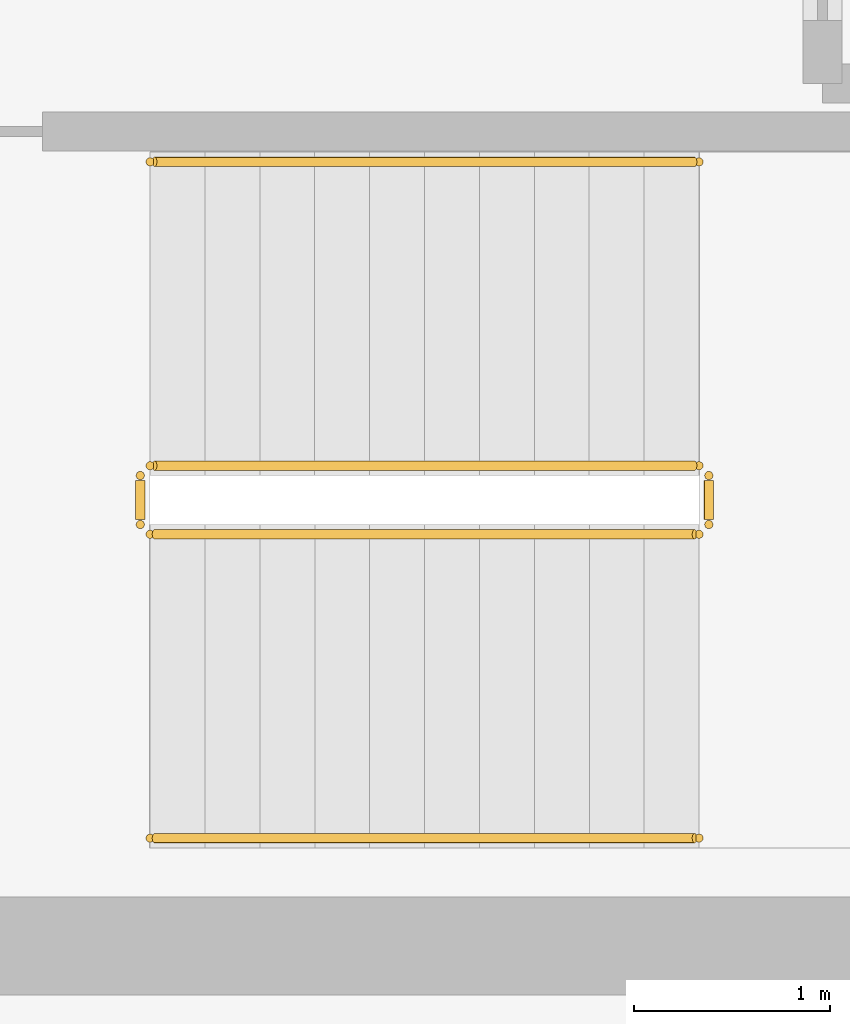
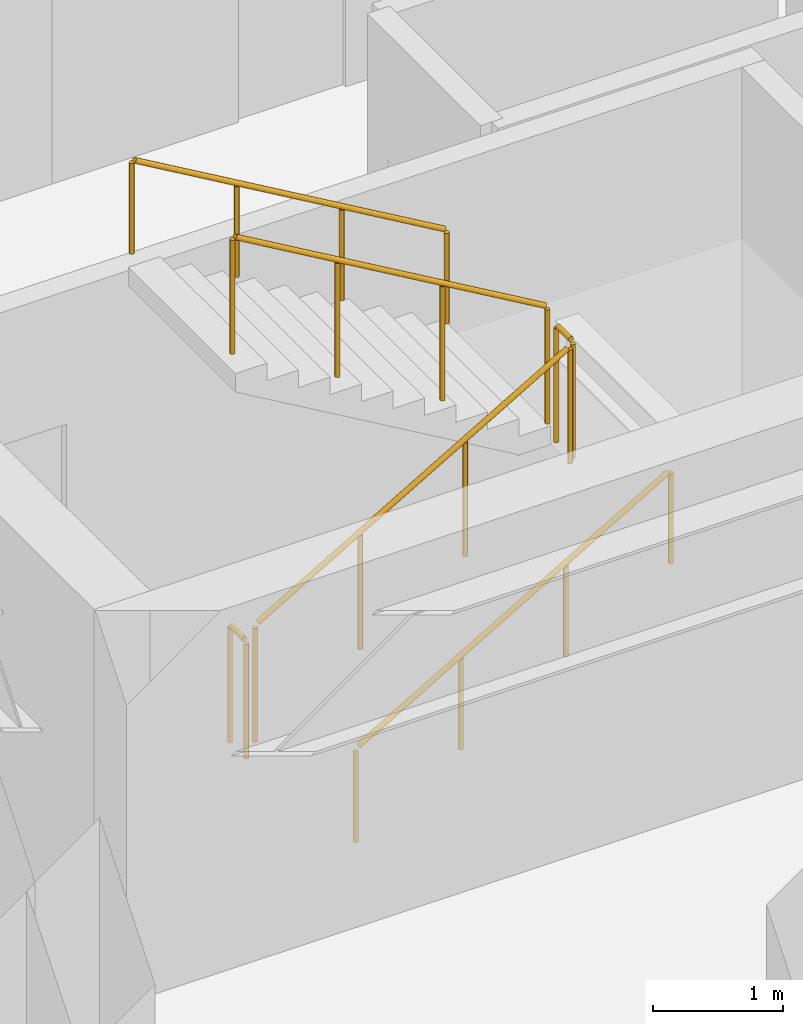
# One storey, part 11 of 11: 6 railings.
"""IFC4 building model written with IfcOpenShell, lengths in metres."""

import ifcopenshell
import ifcopenshell.guid

model = None  # the IFC model being written
_history = None  # IfcOwnerHistory: only IFC2X3 demands one
_inside = {}  # id of a spatial element -> (the spatial element, [elements in it])
_under = {}  # id of a project, library or spatial element -> (it, [spatial elements below it])
_declared = {}  # id of a project -> (the project, [libraries it declares])
_typed = {}  # id of a type object -> (the type object, [elements of that type])
_made_of = {}  # id of a material, layer set ... -> (it, [elements and type objects made of it])


def new_model(schema):
    """Start an empty IFC model of exactly this schema.

    Asked for "IFC4X3", IfcOpenShell would pick the latest addendum, in which some entities
    have other attributes; the version numbers below select the first issue.
    IFC2X3 requires an IfcOwnerHistory on every rooted entity: one is made here for all.
    """
    global model, _history
    if schema == "IFC4X3":
        model = ifcopenshell.file(schema_version=(4, 3, 0, 0))
    else:
        model = ifcopenshell.file(schema=schema)
    _inside.clear()
    _under.clear()
    _declared.clear()
    _typed.clear()
    _made_of.clear()
    _history = None
    if model.schema == "IFC2X3":
        org = make("IfcOrganization", Name="unknown")
        user = make(
            "IfcPersonAndOrganization",
            ThePerson=make("IfcPerson", FamilyName="unknown"),
            TheOrganization=org,
        )
        app = make(
            "IfcApplication",
            ApplicationDeveloper=org,
            Version="unknown",
            ApplicationFullName="unknown",
            ApplicationIdentifier="unknown",
        )
        _history = make(
            "IfcOwnerHistory",
            OwningUser=user,
            OwningApplication=app,
            ChangeAction="ADDED",
            CreationDate=0,
        )
    return model


def make(cls, **values):
    """One entity of the class cls with the attributes given. An attribute that is None is left unset."""
    return model.create_entity(
        cls, **{name: value for name, value in values.items() if value is not None}
    )


def rooted(cls, **values):
    """An entity with a GlobalId (a new one), such as an element, a storey or a relation."""
    return make(cls, GlobalId=ifcopenshell.guid.new(), OwnerHistory=_history, **values)


def si_unit(unit_type, name, prefix=None):
    """IfcSIUnit, for example si_unit("LENGTHUNIT", "METRE", prefix="MILLI")."""
    return make("IfcSIUnit", UnitType=unit_type, Prefix=prefix, Name=name)


def assignment(units):
    """IfcUnitAssignment: the units of a project."""
    return None if units is None else make("IfcUnitAssignment", Units=units)


def point(xyz):
    """IfcCartesianPoint."""
    return None if xyz is None else make("IfcCartesianPoint", Coordinates=xyz)


def direction(xyz):
    """IfcDirection."""
    return None if xyz is None else make("IfcDirection", DirectionRatios=xyz)


def frame(location, z_axis=None, x_axis=None):
    """IfcAxis2Placement3D, a coordinate frame: its origin and axes. An axis left out is left unset."""
    return make(
        "IfcAxis2Placement3D",
        Location=point(location),
        Axis=direction(z_axis),
        RefDirection=direction(x_axis),
    )


def frame_2d(location, x_axis=None):
    """IfcAxis2Placement2D, a coordinate frame in the plane: its origin and x axis."""
    return make(
        "IfcAxis2Placement2D", Location=point(location), RefDirection=direction(x_axis)
    )


def origin():
    """The frame at (0, 0, 0) with its axes left unset."""
    return frame((0.0, 0.0, 0.0))


def origin_2d():
    """The frame at (0, 0) in the plane with its x axis left unset."""
    return frame_2d((0.0, 0.0))


def place(relative_to, where):
    """IfcLocalPlacement: puts the frame where relative to a parent placement (None: the world)."""
    return make(
        "IfcLocalPlacement", PlacementRelTo=relative_to, RelativePlacement=where
    )


def context(
    kind, dimensions, precision=None, world=None, true_north=None, identifier=None
):
    """IfcGeometricRepresentationContext, for example the 3D "Model" context."""
    return make(
        "IfcGeometricRepresentationContext",
        ContextIdentifier=identifier,
        ContextType=kind,
        CoordinateSpaceDimension=dimensions,
        Precision=precision,
        WorldCoordinateSystem=world,
        TrueNorth=true_north,
    )


def subcontext(parent, identifier, kind, view, scale=None):
    """IfcGeometricRepresentationSubContext, for example "Body" below "Model"."""
    return make(
        "IfcGeometricRepresentationSubContext",
        ContextIdentifier=identifier,
        ContextType=kind,
        ParentContext=parent,
        TargetScale=scale,
        TargetView=view,
    )


def project(units=None, contexts=None):
    """IfcProject with its units and contexts."""
    return rooted(
        "IfcProject",
        Name="project",
        RepresentationContexts=contexts,
        UnitsInContext=assignment(units),
    )


def spatial(cls, under=None, at=None, **own):
    """A site, building, storey or space (cls), placed at a placement, below another one or the project."""
    s = rooted(cls, ObjectPlacement=at, **own)
    if under is not None:
        _under.setdefault(under.id(), (under, []))[1].append(s)
    return s


def profile(cls, at=None, kind="AREA", **sizes):
    """A parametric profile (cls). Its sizes go by their IFC names, for example OverallWidth=200.0."""
    return make(cls, ProfileType=kind, Position=at, **sizes)


def circle(**sizes):
    """IfcCircleProfileDef."""
    return profile("IfcCircleProfileDef", **sizes)


def extrude(swept, where, along, depth):
    """IfcExtrudedAreaSolid: the profile swept, set in the frame where, extruded along a direction by depth."""
    return make(
        "IfcExtrudedAreaSolid",
        SweptArea=swept,
        Position=where,
        ExtrudedDirection=direction(along),
        Depth=depth,
    )


def shape(context_of_items, identifier, shape_type, items):
    """IfcShapeRepresentation: the items that make up one representation, for example the "Body"."""
    return make(
        "IfcShapeRepresentation",
        ContextOfItems=context_of_items,
        RepresentationIdentifier=identifier,
        RepresentationType=shape_type,
        Items=items,
    )


def source(mapping_origin, context_of_items, identifier, shape_type, items):
    """IfcRepresentationMap: a shape defined once, which mapped items show again and again."""
    return make(
        "IfcRepresentationMap",
        MappingOrigin=mapping_origin,
        MappedRepresentation=shape(context_of_items, identifier, shape_type, items),
    )


def transform(
    local_origin,
    x_axis=None,
    y_axis=None,
    z_axis=None,
    scale=None,
    scale2=None,
    scale3=None,
    uniform=True,
):
    """IfcCartesianTransformationOperator3D, or its non-uniform kind. x_axis, y_axis, z_axis: its Axis1, 2, 3."""
    if uniform:
        return make(
            "IfcCartesianTransformationOperator3D",
            Axis1=direction(x_axis),
            Axis2=direction(y_axis),
            LocalOrigin=point(local_origin),
            Scale=scale,
            Axis3=direction(z_axis),
        )
    return make(
        "IfcCartesianTransformationOperator3DnonUniform",
        Axis1=direction(x_axis),
        Axis2=direction(y_axis),
        LocalOrigin=point(local_origin),
        Scale=scale,
        Axis3=direction(z_axis),
        Scale2=scale2,
        Scale3=scale3,
    )


def mapped(mapping_source, mapping_target):
    """IfcMappedItem: shows the shape of a source again, moved by a transform."""
    return make(
        "IfcMappedItem", MappingSource=mapping_source, MappingTarget=mapping_target
    )


def material(Name=None, Category=None):
    """IfcMaterial."""
    return make("IfcMaterial", Name=Name, Category=Category)


def layer(
    of_material, thickness, ventilated=None, Name=None, Category=None, Priority=None
):
    """IfcMaterialLayer: one layer of a wall or slab, of a material (None: an air gap)."""
    return make(
        "IfcMaterialLayer",
        Material=of_material,
        LayerThickness=thickness,
        IsVentilated=ventilated,
        Name=Name,
        Category=Category,
        Priority=Priority,
    )


def layer_set(layers, Name=None):
    """IfcMaterialLayerSet."""
    return make("IfcMaterialLayerSet", MaterialLayers=layers, LayerSetName=Name)


def made_of(thing, what):
    """Note that an element or type object is made of a material, layer set ...; save() writes the relation."""
    if what is not None:
        _made_of.setdefault(what.id(), (what, []))[1].append(thing)
    return thing


def type_object(cls, material=None, **own):
    """A type object (cls), such as IfcWallType, which elements share."""
    return made_of(rooted(cls, **own), material)


def element(
    cls,
    number,
    at=None,
    inside=None,
    cuts=None,
    type_object=None,
    material=None,
    context=None,
    identifier="Body",
    shape_type=None,
    held_by="IfcProductDefinitionShape",
    body=None,
    shapes=None,
    **own,
):
    """One element of the class cls, such as IfcWall. Its Tag is "e" and its number.

    at: its placement. inside: the storey or other place that contains it. cuts: it is an
    opening in that element (IfcRelVoidsElement). A single representation is given by context,
    identifier, shape_type and body (its items); several are given by shapes. held_by: the class
    of the entity that holds the representations. save() writes the other relations.
    """
    e = rooted(cls, Tag="e%d" % number, ObjectPlacement=at, **own)
    if body is not None:
        shapes = [shape(context, identifier, shape_type, body)]
    if shapes is not None:
        e.Representation = make(held_by, Representations=shapes)
    if inside is not None:
        _inside.setdefault(inside.id(), (inside, []))[1].append(e)
    if cuts is not None:
        rooted(
            "IfcRelVoidsElement", RelatingBuildingElement=cuts, RelatedOpeningElement=e
        )
    if type_object is not None:
        _typed.setdefault(type_object.id(), (type_object, []))[1].append(e)
    return made_of(e, material)


def aggregate(whole, parts):
    """IfcRelAggregates: a whole, such as a stair, and the parts it consists of."""
    return rooted("IfcRelAggregates", RelatingObject=whole, RelatedObjects=parts)


def save(model, path):
    """Write the relations noted so far, then the file.

    IfcRelAggregates (storeys below a building ...), IfcRelContainedInSpatialStructure (elements
    in a storey), IfcRelDefinesByType, IfcRelAssociatesMaterial and IfcRelDeclares: one each for
    every whole, place, type object, material and project.
    """
    for whole, parts in _under.values():
        aggregate(whole, parts)
    for where, things in _inside.values():
        rooted(
            "IfcRelContainedInSpatialStructure",
            RelatedElements=things,
            RelatingStructure=where,
        )
    for kind, things in _typed.values():
        rooted("IfcRelDefinesByType", RelatedObjects=things, RelatingType=kind)
    for what, things in _made_of.values():
        rooted("IfcRelAssociatesMaterial", RelatedObjects=things, RelatingMaterial=what)
    for by, libraries in _declared.values():
        rooted("IfcRelDeclares", RelatingContext=by, RelatedDefinitions=libraries)
    model.write(path)


model = new_model("IFC4")

# Units and contexts
model_context = context("Model", 3, precision=1e-05, world=origin(), true_north=direction((0.0, 1.0)))
body_context = subcontext(model_context, "Body", "Model", "MODEL_VIEW")
ifc_project = project(units=[si_unit("LENGTHUNIT", "METRE"), si_unit("AREAUNIT", "SQUARE_METRE"), si_unit("VOLUMEUNIT", "CUBIC_METRE"), si_unit("PLANEANGLEUNIT", "RADIAN"), si_unit("MASSUNIT", "GRAM", prefix="KILO")], contexts=[model_context])

# Site, building, storey
site_placement = place(None, origin())
site = spatial("IfcSite", under=ifc_project, at=site_placement, CompositionType="ELEMENT")
building_placement = place(site_placement, origin())
building = spatial("IfcBuilding", under=site, at=building_placement, Name="Kharzan Plaza Tower", CompositionType="ELEMENT")
storey_placement = place(building_placement, frame((0.0, 0.0, 226.800048828125)))
storey = spatial("IfcBuildingStorey", under=building, at=storey_placement, Name="L61", CompositionType="ELEMENT", Elevation=226.800048828125)

# Railings
ifc_material_1 = material(Name="Painted Galvanized Architectural Steel", Category="steel")
ifc_layer_1 = layer(ifc_material_1, 0.074951171875)
ifc_layer_set_1 = layer_set([ifc_layer_1], Name="Painted Galvanized Architectural Steel")
railing_type_1 = type_object("IfcRailingType", Name="RL-GUARD-1120", PredefinedType="BALUSTRADE", material=ifc_layer_set_1)
shared_shape_1 = source(origin(), body_context, "Body", "SweptSolid", [
    extrude(circle(Radius=0.02392578125, at=origin_2d()), frame((0.0, 0.0263671875, 1.09619140625), z_axis=(0.0, 1.0, 0.0), x_axis=(-1.0, 0.0, 0.0)), (0.0, 0.0, 1.0), 0.197021484375),
    extrude(circle(Radius=0.02099609375, at=origin_2d()), origin(), (0.0, 0.0, 1.0), 1.072021484375),
    extrude(circle(Radius=0.02099609375, at=origin_2d()), frame((0.0, 0.25, 0.0)), (0.0, 0.0, 1.0), 1.072021484375),
])
for number, where, name in (
    (1, (41.10009765625, 6.64990234375, 1.800048828125), "L61 ST-3 stair guard 2"),
    (2, (38.199951171875, 6.64990234375, 0.0), "L61 ST-3 stair guard 4"),
):
    element("IfcRailing", number, at=place(storey_placement, frame(where)), inside=storey, type_object=railing_type_1, Name=name, PredefinedType="BALUSTRADE", context=body_context, shape_type="MappedRepresentation", body=[
        mapped(shared_shape_1, transform((0.0, 0.0, 0.0), x_axis=(1.0, 0.0, 0.0), y_axis=(0.0, 1.0, 0.0), z_axis=(0.0, 0.0, 1.0))),
    ])
shared_shape_2 = source(origin(), body_context, "Body", "SweptSolid", [
    extrude(circle(Radius=0.02392578125, at=origin_2d()), frame((0.02294921875, 0.0, 1.109375), z_axis=(0.863360870873, 0.0, 0.504586966384), x_axis=(0.0, 1.0, 0.0)), (0.0, 0.0, 1.0), 3.190185546875),
    extrude(circle(Radius=0.02099609375, at=origin_2d()), origin(), (0.0, 0.0, 1.0), 1.072021484375),
    extrude(circle(Radius=0.02099609375, at=origin_2d()), frame((0.933349609375, 0.0, 0.54541015625)), (0.0, 0.0, 1.0), 1.072021484375),
    extrude(circle(Radius=0.02099609375, at=origin_2d()), frame((1.86669921875, 0.0, 1.091064453125)), (0.0, 0.0, 1.0), 1.072021484375),
    extrude(circle(Radius=0.02099609375, at=origin_2d()), frame((2.800048828125, 0.0, 1.636474609375)), (0.0, 0.0, 1.0), 1.072021484375),
])
railing_1_placement = place(storey_placement, frame((38.25, 6.60009765625, 0.16357421875)))
element("IfcRailing", 3, at=railing_1_placement, inside=storey, type_object=railing_type_1, Name="L61 ST-3 stair guard 1", PredefinedType="BALUSTRADE", context=body_context, shape_type="MappedRepresentation", body=[
    mapped(shared_shape_2, transform((0.0, 0.0, 0.0), x_axis=(1.0, 0.0, 0.0), y_axis=(0.0, 1.0, 0.0), z_axis=(0.0, 0.0, 1.0))),
])
ifc_material_2 = material(Name="Brushed Stainless Steel", Category="steel")
ifc_layer_2 = layer(ifc_material_2, 0.050048828125)
ifc_layer_set_2 = layer_set([ifc_layer_2], Name="Brushed Stainless Steel")
railing_type_2 = type_object("IfcRailingType", Name="RL-STAIR-HR920", PredefinedType="HANDRAIL", material=ifc_layer_set_2)
shared_shape_3 = source(origin(), body_context, "Body", "SweptSolid", [
    extrude(circle(Radius=0.02392578125, at=origin_2d()), frame((0.02294921875, 0.0, 0.88916015625), z_axis=(0.863360870873, 0.0, 0.504586966384), x_axis=(0.0, 1.0, 0.0)), (0.0, 0.0, 1.0), 3.190185546875),
    extrude(circle(Radius=0.02099609375, at=origin_2d()), origin(), (0.0, 0.0, 1.0), 0.851806640625),
    extrude(circle(Radius=0.02099609375, at=origin_2d()), frame((0.933349609375, 0.0, 0.54541015625)), (0.0, 0.0, 1.0), 0.851806640625),
    extrude(circle(Radius=0.02099609375, at=origin_2d()), frame((1.86669921875, 0.0, 1.091064453125)), (0.0, 0.0, 1.0), 0.851806640625),
    extrude(circle(Radius=0.02099609375, at=origin_2d()), frame((2.800048828125, 0.0, 1.636474609375)), (0.0, 0.0, 1.0), 0.851806640625),
])
railing_2_placement = place(storey_placement, frame((38.25, 5.050048828125, 0.16357421875)))
element("IfcRailing", 4, at=railing_2_placement, inside=storey, type_object=railing_type_2, Name="L61 ST-3 stair handrail 1", PredefinedType="HANDRAIL", context=body_context, shape_type="MappedRepresentation", body=[
    mapped(shared_shape_3, transform((0.0, 0.0, 0.0), x_axis=(1.0, 0.0, 0.0), y_axis=(0.0, 1.0, 0.0), z_axis=(0.0, 0.0, 1.0))),
])
shared_shape_4 = source(origin(), body_context, "Body", "SweptSolid", [
    extrude(circle(Radius=0.02392578125, at=origin_2d()), frame((-0.02294921875, 0.0, 1.109375), z_axis=(-0.863393664356, 0.0, 0.504530851732), x_axis=(0.0, -1.0, 0.0)), (0.0, 0.0, 1.0), 3.190185546875),
    extrude(circle(Radius=0.02099609375, at=origin_2d()), origin(), (0.0, 0.0, 1.0), 1.072021484375),
    extrude(circle(Radius=0.02099609375, at=origin_2d()), frame((-0.933349609375, 0.0, 0.54541015625)), (0.0, 0.0, 1.0), 1.072021484375),
    extrude(circle(Radius=0.02099609375, at=origin_2d()), frame((-1.86669921875, 0.0, 1.0908203125)), (0.0, 0.0, 1.0), 1.072021484375),
    extrude(circle(Radius=0.02099609375, at=origin_2d()), frame((-2.800048828125, 0.0, 1.63623046875)), (0.0, 0.0, 1.0), 1.072021484375),
])
railing_3_placement = place(storey_placement, frame((41.050048828125, 6.949951171875, 1.963623046875)))
element("IfcRailing", 5, at=railing_3_placement, inside=storey, type_object=railing_type_1, Name="L61 ST-3 stair guard 3", PredefinedType="BALUSTRADE", context=body_context, shape_type="MappedRepresentation", body=[
    mapped(shared_shape_4, transform((0.0, 0.0, 0.0), x_axis=(1.0, 0.0, 0.0), y_axis=(0.0, 1.0, 0.0), z_axis=(0.0, 0.0, 1.0))),
])
shared_shape_5 = source(origin(), body_context, "Body", "SweptSolid", [
    extrude(circle(Radius=0.02392578125, at=origin_2d()), frame((-0.02294921875, 0.0, 0.88916015625), z_axis=(-0.863393664356, 0.0, 0.504530851732), x_axis=(0.0, -1.0, 0.0)), (0.0, 0.0, 1.0), 3.190185546875),
    extrude(circle(Radius=0.02099609375, at=origin_2d()), origin(), (0.0, 0.0, 1.0), 0.851806640625),
    extrude(circle(Radius=0.02099609375, at=origin_2d()), frame((-0.933349609375, 0.0, 0.54541015625)), (0.0, 0.0, 1.0), 0.851806640625),
    extrude(circle(Radius=0.02099609375, at=origin_2d()), frame((-1.86669921875, 0.0, 1.0908203125)), (0.0, 0.0, 1.0), 0.851806640625),
    extrude(circle(Radius=0.02099609375, at=origin_2d()), frame((-2.800048828125, 0.0, 1.63623046875)), (0.0, 0.0, 1.0), 0.851806640625),
])
railing_4_placement = place(storey_placement, frame((41.050048828125, 8.5, 1.963623046875)))
element("IfcRailing", 6, at=railing_4_placement, inside=storey, type_object=railing_type_2, Name="L61 ST-3 stair handrail 2", PredefinedType="HANDRAIL", context=body_context, shape_type="MappedRepresentation", body=[
    mapped(shared_shape_5, transform((0.0, 0.0, 0.0), x_axis=(1.0, 0.0, 0.0), y_axis=(0.0, 1.0, 0.0), z_axis=(0.0, 0.0, 1.0))),
])

save(model, "model.ifc")
